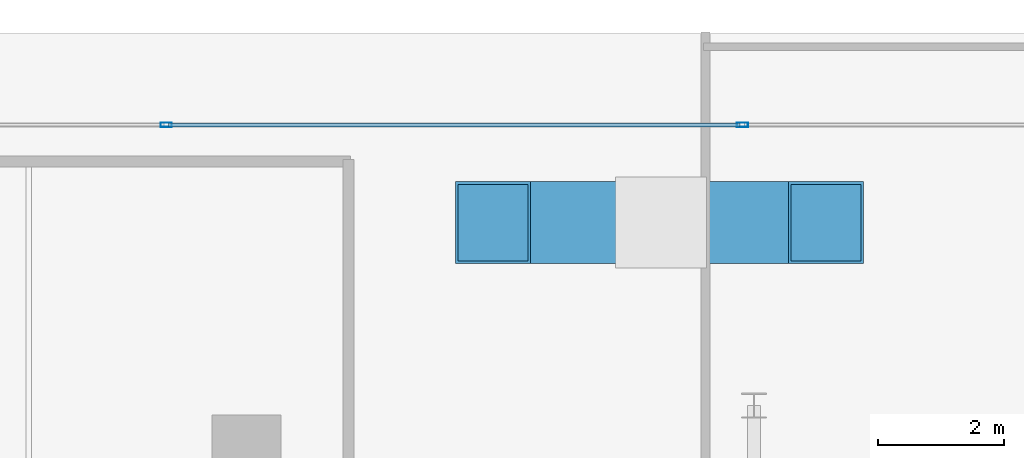
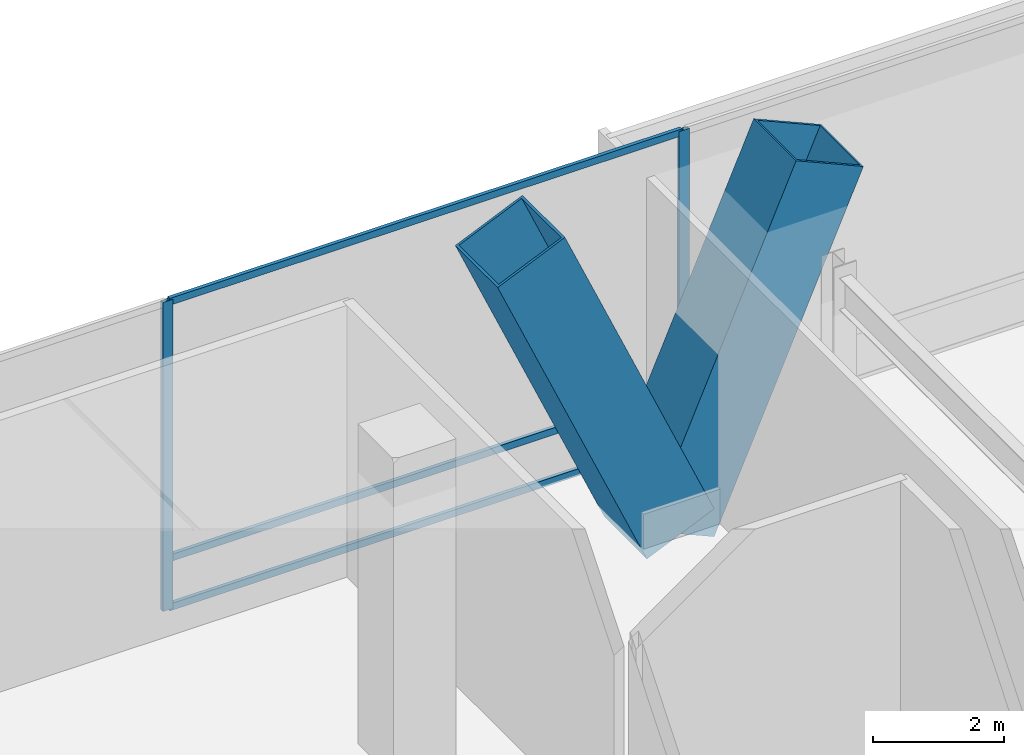
# One storey, part 21 of 40: 7 members, 1 element without a shape of its own.
"""IFC4 building model written with IfcOpenShell, lengths in metres."""

from ifc_helpers import new_model, si_unit, direction, frame, origin, origin_2d, place, context, subcontext, project, spatial, hollow_rectangle, extrude, material, layer, layer_set, material_profile, profile_set, type_object, element, aggregate, save


model = new_model("IFC4")

# Units and contexts
model_context = context("Model", 3, precision=1e-05, world=origin(), true_north=direction((0.0, 1.0)))
body_context = subcontext(model_context, "Body", "Model", "MODEL_VIEW")
ifc_project = project(units=[si_unit("LENGTHUNIT", "METRE"), si_unit("AREAUNIT", "SQUARE_METRE"), si_unit("VOLUMEUNIT", "CUBIC_METRE"), si_unit("PLANEANGLEUNIT", "RADIAN"), si_unit("MASSUNIT", "GRAM", prefix="KILO")], contexts=[model_context])

# Site, building, storey
site_placement = place(None, origin())
site = spatial("IfcSite", under=ifc_project, at=site_placement, CompositionType="ELEMENT")
building_placement = place(site_placement, origin())
building = spatial("IfcBuilding", under=site, at=building_placement, Name="Qianvela Tower", CompositionType="ELEMENT")
storey_placement = place(building_placement, origin())
storey = spatial("IfcBuildingStorey", under=building, at=storey_placement, Name="L00", CompositionType="ELEMENT", Elevation=0.0)

# Curtain wall, members
ifc_material_1 = material(Name="Anodised Architectural Aluminium and Low-E Glass", Category="aluminium")
ifc_layer = layer(ifc_material_1, 0.199951171875)
ifc_layer_set = layer_set([ifc_layer], Name="Anodised Architectural Aluminium and Low-E Glass")
curtain_wall_type = type_object("IfcCurtainWallType", Name="CW-CONCOURSE", PredefinedType="USERDEFINED", material=ifc_layer_set)
curtain_wall_placement = place(storey_placement, origin())
curtain_wall = element("IfcCurtainWall", 1, at=curtain_wall_placement, inside=storey, type_object=curtain_wall_type, Name="L00 CW-CONCOURSE Curtain Wall 05A", ObjectType="CURTAIN_WALL_SYSTEM", PredefinedType="USERDEFINED")
ifc_material_2 = material(Name="Anodised Architectural Aluminium 6063-T6", Category="aluminium")
ifc_material_profile_1 = material_profile(ifc_material_2, hollow_rectangle(XDim=0.070068359375, YDim=0.179931640625, WallThickness=0.0048828125, at=origin_2d()), Name="ALU-MULL-70x180")
ifc_profile_set_1 = profile_set([ifc_material_profile_1], Name="Anodised Architectural Aluminium 6063-T6")
member_type_1 = type_object("IfcMemberType", Name="CW-CONCOURSE-MULL", PredefinedType="MULLION", material=ifc_profile_set_1)
member_1_placement = place(storey_placement, frame((59.816650390625, 49.050048828125, 0.0), z_axis=(0.0, 0.0, 1.0), x_axis=(0.0, -1.0, 0.0)))
member_1 = element("IfcMember", 2, at=member_1_placement, type_object=member_type_1, Name="CW-1 mullion 2", PredefinedType="MULLION", context=body_context, shape_type="SweptSolid", body=[
    extrude(hollow_rectangle(XDim=0.070068359375, YDim=0.179931640625, WallThickness=0.0048828125, at=origin_2d()), origin(), (0.0, 0.0, 1.0), 5.780029296875),
])
member_2_placement = place(storey_placement, frame((50.683349609375, 49.050048828125, 0.0), z_axis=(0.0, 0.0, 1.0), x_axis=(0.0, -1.0, 0.0)))
member_2 = element("IfcMember", 3, at=member_2_placement, type_object=member_type_1, Name="CW-1 mullion 3", PredefinedType="MULLION", context=body_context, shape_type="SweptSolid", body=[
    extrude(hollow_rectangle(XDim=0.070068359375, YDim=0.179931640625, WallThickness=0.0048828125, at=origin_2d()), origin(), (0.0, 0.0, 1.0), 5.780029296875),
])
ifc_material_3 = material(Name="Anodised Architectural Aluminium 6063-T6", Category="aluminium")
ifc_material_profile_2 = material_profile(ifc_material_3, hollow_rectangle(XDim=0.06494140625, YDim=0.1298828125, WallThickness=0.00439453125, at=origin_2d()), Name="ALU-TRAN-65x130")
ifc_profile_set_2 = profile_set([ifc_material_profile_2], Name="Anodised Architectural Aluminium 6063-T6")
member_type_2 = type_object("IfcMemberType", Name="CW-CONCOURSE-TRAN", PredefinedType="USERDEFINED", material=ifc_profile_set_2)
member_3_placement = place(storey_placement, frame((59.78173828125, 49.050048828125, 0.032470703125), z_axis=(-1.0, 0.0, 0.0), x_axis=(0.0, -1.0, 0.0)))
member_3 = element("IfcMember", 4, at=member_3_placement, type_object=member_type_2, Name="CW-1 transom 2.1", ObjectType="TRANSOM", PredefinedType="USERDEFINED", context=body_context, shape_type="SweptSolid", body=[
    extrude(hollow_rectangle(XDim=0.06494140625, YDim=0.1298828125, WallThickness=0.00439453125, at=origin_2d()), origin(), (0.0, 0.0, 1.0), 9.0634765625),
])
member_4_placement = place(storey_placement, frame((59.78173828125, 49.050048828125, 0.949951171875), z_axis=(-1.0, 0.0, 0.0), x_axis=(0.0, -1.0, 0.0)))
member_4 = element("IfcMember", 5, at=member_4_placement, type_object=member_type_2, Name="CW-1 transom 2.2", ObjectType="TRANSOM", PredefinedType="USERDEFINED", context=body_context, shape_type="SweptSolid", body=[
    extrude(hollow_rectangle(XDim=0.06494140625, YDim=0.1298828125, WallThickness=0.00439453125, at=origin_2d()), origin(), (0.0, 0.0, 1.0), 9.0634765625),
])
member_5_placement = place(storey_placement, frame((59.78173828125, 49.050048828125, 5.74755859375), z_axis=(-1.0, 0.0, 0.0), x_axis=(0.0, -1.0, 0.0)))
member_5 = element("IfcMember", 6, at=member_5_placement, type_object=member_type_2, Name="CW-1 transom 2.3", ObjectType="TRANSOM", PredefinedType="USERDEFINED", context=body_context, shape_type="SweptSolid", body=[
    extrude(hollow_rectangle(XDim=0.06494140625, YDim=0.1298828125, WallThickness=0.00439453125, at=origin_2d()), origin(), (0.0, 0.0, 1.0), 9.0634765625),
])
aggregate(curtain_wall, [member_1, member_2, member_3, member_4, member_5])

# Members
ifc_material_4 = material(Name="Steel Q420GJC", Category="steel")
ifc_material_profile_3 = material_profile(ifc_material_4, hollow_rectangle(XDim=1.300048828125, YDim=1.300048828125, WallThickness=0.044921875, at=origin_2d()), Name="VBOX-1300x1300x45")
ifc_profile_set_3 = profile_set([ifc_material_profile_3], Name="Steel Q420GJC")
member_type_3 = type_object("IfcMemberType", Name="MBR-VCOL-1300", PredefinedType="POST", material=ifc_profile_set_3)
for number, where, z_axis, x_axis, name in (
    (7, (58.5, 47.5, 0.0), (-0.402662474024, 0.0, 0.91534853035), (0.0, -1.0, 0.0), "L00 Concourse Inclined V-Column VC-N3 Leg L"),
    (8, (58.5, 47.5, 0.0), (0.402662474024, 0.0, 0.91534853035), (0.0, 1.0, 0.0), "L00 Concourse Inclined V-Column VC-N3 Leg R"),
):
    element("IfcMember", number, at=place(storey_placement, frame(where, z_axis=z_axis, x_axis=x_axis)), inside=storey, type_object=member_type_3, Name=name, PredefinedType="POST", context=body_context, shape_type="SweptSolid", body=[
        extrude(hollow_rectangle(XDim=1.300048828125, YDim=1.300048828125, WallThickness=0.044921875, at=origin_2d()), origin(), (0.0, 0.0, 1.0), 6.554931640625),
    ])

save(model, "model.ifc")
